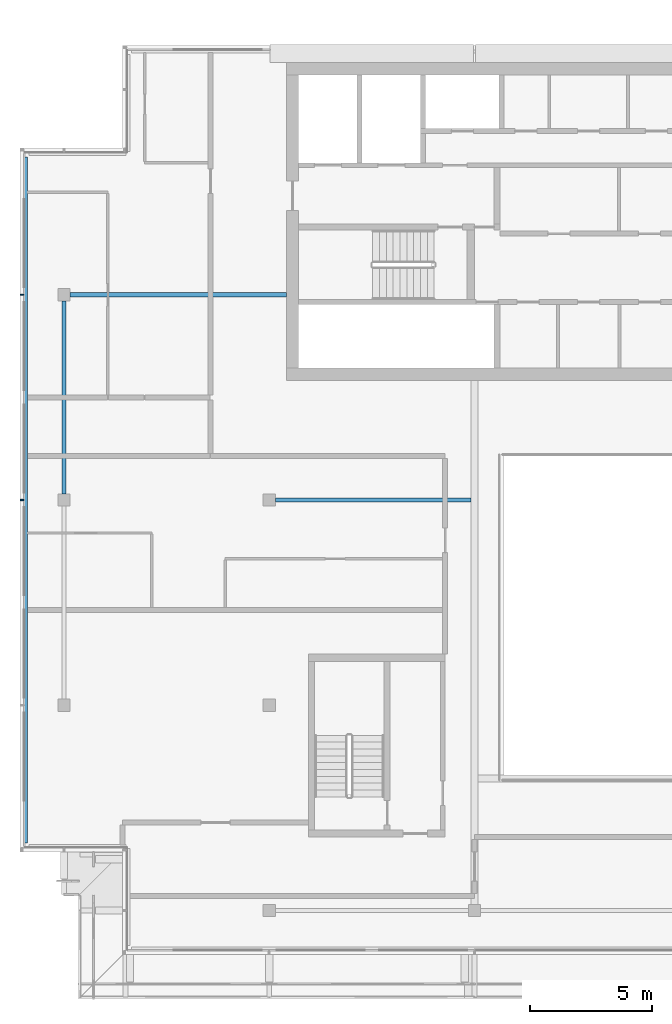
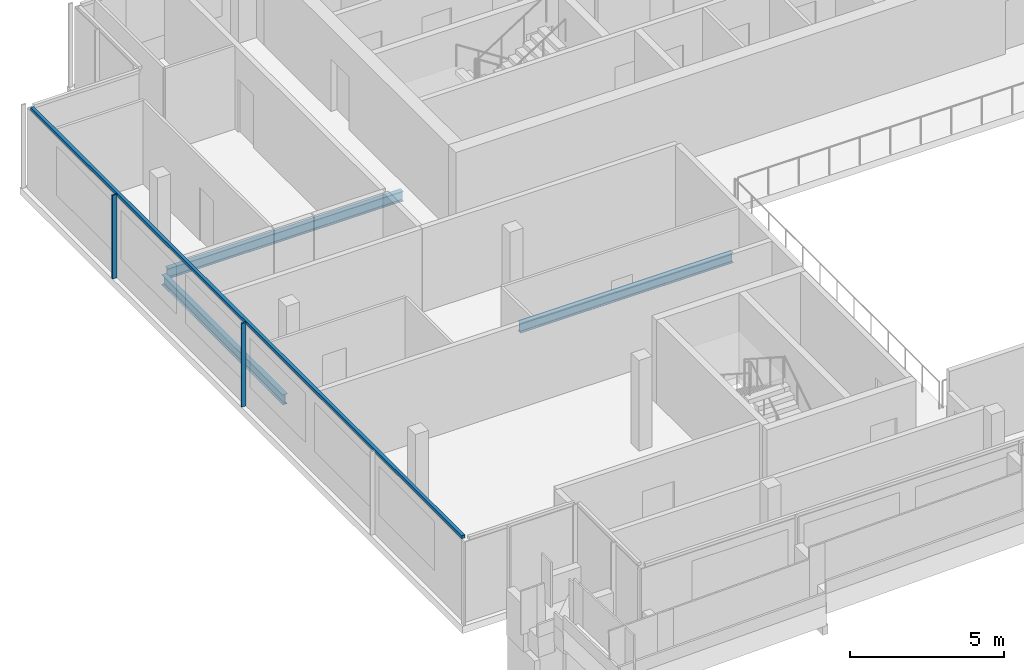
# One storey, part 4 of 22: 3 beams, 3 members, 1 element without a shape of its own.
"""IFC4 building model written with IfcOpenShell, lengths in metres."""

from ifc_helpers import new_model, si_unit, direction, frame, origin, origin_2d, place, context, subcontext, project, spatial, rectangle, i_section, extrude, material, material_profile, profile_set, type_object, element, aggregate, save


model = new_model("IFC4")

# Units and contexts
model_context = context("Model", 3, precision=1e-05, world=origin(), true_north=direction((0.0, 1.0)))
body_context = subcontext(model_context, "Body", "Model", "MODEL_VIEW")
ifc_project = project(units=[si_unit("LENGTHUNIT", "METRE"), si_unit("AREAUNIT", "SQUARE_METRE"), si_unit("VOLUMEUNIT", "CUBIC_METRE"), si_unit("PLANEANGLEUNIT", "RADIAN"), si_unit("MASSUNIT", "GRAM", prefix="KILO")], contexts=[model_context])

# Site, building, storey
site_placement = place(None, origin())
site = spatial("IfcSite", under=ifc_project, at=site_placement, CompositionType="ELEMENT")
building_placement = place(site_placement, origin())
building = spatial("IfcBuilding", under=site, at=building_placement, Name="Saffron Gate Tower", CompositionType="ELEMENT")
storey_placement = place(building_placement, frame((0.0, 0.0, 295.949951171875)))
storey = spatial("IfcBuildingStorey", under=building, at=storey_placement, Name="L72", CompositionType="ELEMENT", Elevation=295.949951171875)

# Beams
ifc_material_1 = material(Name="Structural steel S355", Category="steel")
ifc_material_profile_1 = material_profile(ifc_material_1, i_section(OverallWidth=0.179931640625, OverallDepth=0.39990234375, WebThickness=0.008544921875, FlangeThickness=0.013427734375, FilletRadius=0.02099609375, at=origin_2d()))
ifc_profile_set_1 = profile_set([ifc_material_profile_1], Name="Structural steel S355")
beam_type_1 = type_object("IfcBeamType", Name="B4 IPE 400", PredefinedType="BEAM", material=ifc_profile_set_1)
beam_1_placement = place(storey_placement, frame((66.85009765625, 57.0, -0.47998046875), z_axis=(1.0, 0.0, 0.0), x_axis=(0.0, 1.0, 0.0)))
element("IfcBeam", 1, at=beam_1_placement, inside=storey, type_object=beam_type_1, Name="B4 CORE TIE BEAM", PredefinedType="BEAM", context=body_context, shape_type="SweptSolid", body=[
    extrude(i_section(OverallWidth=0.179931640625, OverallDepth=0.39990234375, WebThickness=0.008544921875, FlangeThickness=0.013427734375, FilletRadius=0.02099609375, at=origin_2d()), origin(), (0.0, 0.0, 1.0), 8.0),
])
beam_2_placement = place(storey_placement, frame((58.449951171875, 65.39990234375, -0.47998046875), z_axis=(1.0, 0.0, 0.0), x_axis=(0.0, 1.0, 0.0)))
element("IfcBeam", 2, at=beam_2_placement, inside=storey, type_object=beam_type_1, Name="B4 CORE TIE BEAM", PredefinedType="BEAM", context=body_context, shape_type="SweptSolid", body=[
    extrude(i_section(OverallWidth=0.179931640625, OverallDepth=0.39990234375, WebThickness=0.008544921875, FlangeThickness=0.013427734375, FilletRadius=0.02099609375, at=origin_2d()), origin(), (0.0, 0.0, 1.0), 8.85009765625),
])
ifc_material_profile_2 = material_profile(ifc_material_1, i_section(OverallWidth=0.179931640625, OverallDepth=0.39990234375, WebThickness=0.008544921875, FlangeThickness=0.013427734375, FilletRadius=0.02099609375, at=origin_2d()))
ifc_profile_set_2 = profile_set([ifc_material_profile_2], Name="Structural steel S355")
beam_type_2 = type_object("IfcBeamType", Name="B5 IPE 400", PredefinedType="SPANDREL", material=ifc_profile_set_2)
beam_3_placement = place(storey_placement, frame((58.199951171875, 57.25, -0.47998046875), z_axis=(0.0, 1.0, 0.0), x_axis=(-1.0, 0.0, 0.0)))
element("IfcBeam", 3, at=beam_3_placement, inside=storey, type_object=beam_type_2, Name="B5 SPANDREL BEAM", PredefinedType="SPANDREL", context=body_context, shape_type="SweptSolid", body=[
    extrude(i_section(OverallWidth=0.179931640625, OverallDepth=0.39990234375, WebThickness=0.008544921875, FlangeThickness=0.013427734375, FilletRadius=0.02099609375, at=origin_2d()), origin(), (0.0, 0.0, 1.0), 7.89990234375),
])

# Curtain wall, members
ifc_material_2 = material(Name="Aluminium, bronze anodised", Category="aluminium")
curtain_wall_type = type_object("IfcCurtainWallType", Name="CWS2 curtain wall side facades", PredefinedType="NOTDEFINED", material=ifc_material_2)
curtain_wall_placement = place(storey_placement, origin())
curtain_wall = element("IfcCurtainWall", 4, at=curtain_wall_placement, inside=storey, type_object=curtain_wall_type, Name="CWS2 run 10", PredefinedType="NOTDEFINED")
ifc_material_profile_3 = material_profile(ifc_material_2, rectangle(XDim=0.1201171875, YDim=0.1201171875, at=origin_2d()))
ifc_profile_set_3 = profile_set([ifc_material_profile_3], Name="Aluminium, bronze anodised")
member_type_1 = type_object("IfcMemberType", Name="CWS2 head transom", PredefinedType="USERDEFINED", material=ifc_profile_set_3)
member_1_placement = place(storey_placement, frame((56.64794921875, 71.031982421875, 3.260009765625), z_axis=(0.0, -1.0, 0.0), x_axis=(1.0, 0.0, 0.0)))
member_1 = element("IfcMember", 5, at=member_1_placement, type_object=member_type_1, Name="CWS2 head transom", ObjectType="TRANSOM", PredefinedType="USERDEFINED", context=body_context, shape_type="SweptSolid", body=[
    extrude(rectangle(XDim=0.1201171875, YDim=0.1201171875, at=origin_2d()), origin(), (0.0, 0.0, 1.0), 28.06396484375),
])
ifc_material_profile_4 = material_profile(ifc_material_2, rectangle(XDim=0.159912109375, YDim=0.06005859375, at=origin_2d()))
ifc_profile_set_4 = profile_set([ifc_material_profile_4], Name="Aluminium, bronze anodised")
member_type_2 = type_object("IfcMemberType", Name="CWS2 mullion 60x160", PredefinedType="MULLION", material=ifc_profile_set_4)
member_2_placement = place(storey_placement, frame((56.47998046875, 65.39990234375, 0.0), z_axis=(0.0, 0.0, 1.0), x_axis=(1.0, 0.0, 0.0)))
member_2 = element("IfcMember", 6, at=member_2_placement, type_object=member_type_2, Name="CWS2 mullion 2", PredefinedType="MULLION", context=body_context, shape_type="SweptSolid", body=[
    extrude(rectangle(XDim=0.159912109375, YDim=0.06005859375, at=origin_2d()), origin(), (0.0, 0.0, 1.0), 3.320068359375),
])
member_3_placement = place(storey_placement, frame((56.47998046875, 57.0, 0.0), z_axis=(0.0, 0.0, 1.0), x_axis=(1.0, 0.0, 0.0)))
member_3 = element("IfcMember", 7, at=member_3_placement, type_object=member_type_2, Name="CWS2 mullion 3", PredefinedType="MULLION", context=body_context, shape_type="SweptSolid", body=[
    extrude(rectangle(XDim=0.159912109375, YDim=0.06005859375, at=origin_2d()), origin(), (0.0, 0.0, 1.0), 3.320068359375),
])
aggregate(curtain_wall, [member_2, member_3, member_1])

save(model, "model.ifc")
